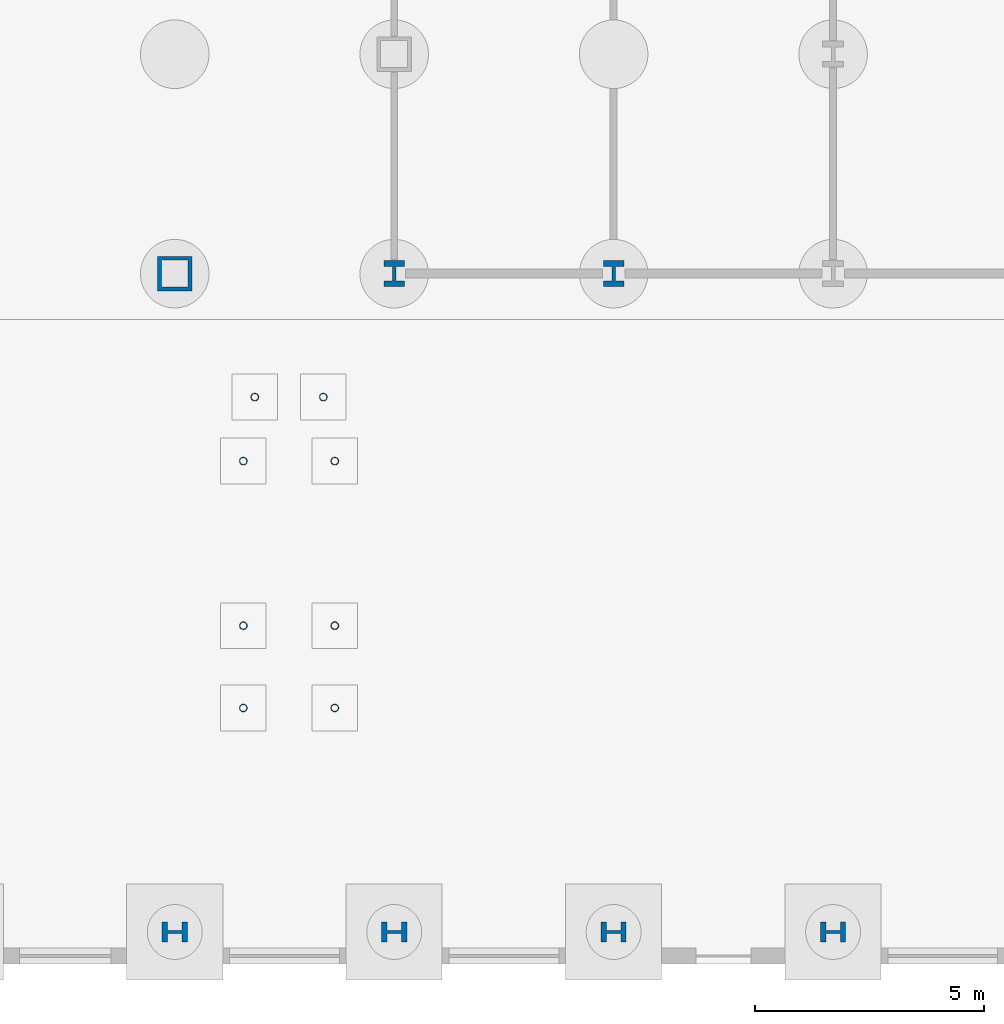
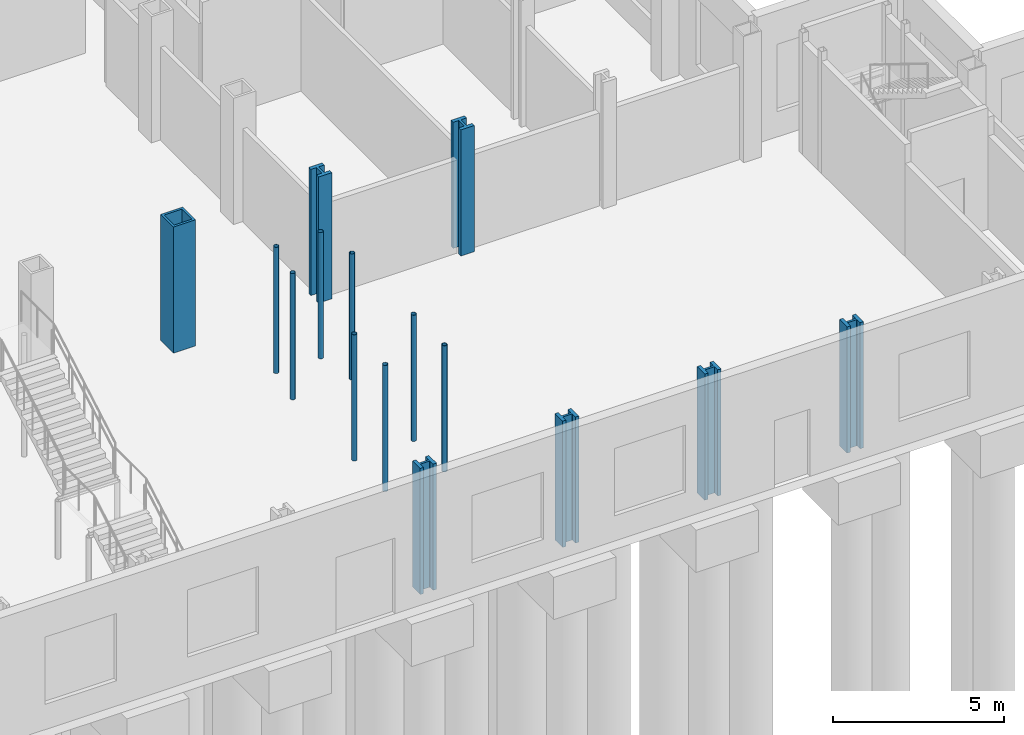
# One storey, part 5 of 22: 15 columns.
"""IFC4 building model written with IfcOpenShell, lengths in metres."""

from ifc_helpers import new_model, si_unit, direction, frame, origin, origin_2d, place, context, subcontext, project, spatial, hollow_rectangle, hollow_circle, i_section, extrude, material, material_profile, profile_set, type_object, element, save


model = new_model("IFC4")

# Units and contexts
model_context = context("Model", 3, precision=1e-05, world=origin(), true_north=direction((0.0, 1.0)))
body_context = subcontext(model_context, "Body", "Model", "MODEL_VIEW")
ifc_project = project(units=[si_unit("LENGTHUNIT", "METRE"), si_unit("AREAUNIT", "SQUARE_METRE"), si_unit("VOLUMEUNIT", "CUBIC_METRE"), si_unit("PLANEANGLEUNIT", "RADIAN"), si_unit("MASSUNIT", "GRAM", prefix="KILO")], contexts=[model_context])

# Site, building, storey
site_placement = place(None, origin())
site = spatial("IfcSite", under=ifc_project, at=site_placement, CompositionType="ELEMENT")
building_placement = place(site_placement, origin())
building = spatial("IfcBuilding", under=site, at=building_placement, Name="Kvirike Care Tower", CompositionType="ELEMENT")
storey_placement = place(building_placement, origin())
storey = spatial("IfcBuildingStorey", under=building, at=storey_placement, Name="L00", CompositionType="ELEMENT", Elevation=0.0)

# Columns
ifc_material_1 = material(Name="Steel S460", Category="steel")
ifc_material_profile_1 = material_profile(ifc_material_1, hollow_rectangle(XDim=0.75, YDim=0.75, WallThickness=0.080078125, at=origin_2d()), Name="BX 750x750x80")
ifc_profile_set_1 = profile_set([ifc_material_profile_1], Name="Steel S460")
column_type_1 = type_object("IfcColumnType", Name="COLUMN BX 750x750x80", PredefinedType="COLUMN", material=ifc_profile_set_1)
column_placement = place(storey_placement, frame((24.0, 14.39990234375, 0.0), z_axis=(0.0, 0.0, 1.0), x_axis=(1.0, 0.0, 0.0)))
element("IfcColumn", 1, at=column_placement, inside=storey, type_object=column_type_1, Name="Column D8 L00", PredefinedType="COLUMN", context=body_context, shape_type="SweptSolid", body=[
    extrude(hollow_rectangle(XDim=0.75, YDim=0.75, WallThickness=0.080078125, at=origin_2d()), origin(), (0.0, 0.0, 1.0), 4.5),
])
ifc_material_2 = material(Name="Steel S460", Category="steel")
ifc_material_profile_2 = material_profile(ifc_material_2, i_section(OverallWidth=0.4541015625, OverallDepth=0.569091796875, WebThickness=0.077880859375, FlangeThickness=0.125, FilletRadius=0.014892578125, at=origin_2d()), Name="HD 400x1086")
ifc_profile_set_2 = profile_set([ifc_material_profile_2], Name="Steel S460")
column_type_2 = type_object("IfcColumnType", Name="COLUMN HD 400x1086", PredefinedType="COLUMN", material=ifc_profile_set_2)
for number, where, z_axis, x_axis, name in (
    (2, (28.800048828125, 14.39990234375, 0.0), (0.0, 0.0, 1.0), (1.0, 0.0, 0.0), "Column D9 L00"),
    (3, (33.60009765625, 14.39990234375, 0.0), (0.0, 0.0, 1.0), (1.0, 0.0, 0.0), "Column D10 L00"),
):
    element("IfcColumn", number, at=place(storey_placement, frame(where, z_axis=z_axis, x_axis=x_axis)), inside=storey, type_object=column_type_2, Name=name, PredefinedType="COLUMN", context=body_context, shape_type="SweptSolid", body=[
        extrude(i_section(OverallWidth=0.4541015625, OverallDepth=0.569091796875, WebThickness=0.077880859375, FlangeThickness=0.125, FilletRadius=0.014892578125, at=origin_2d()), origin(), (0.0, 0.0, 1.0), 4.5),
    ])
ifc_material_3 = material(Name="Steel S460", Category="steel")
ifc_material_profile_3 = material_profile(ifc_material_3, i_section(OverallWidth=0.447998046875, OverallDepth=0.550048828125, WebThickness=0.072021484375, FlangeThickness=0.114990234375, FilletRadius=0.014892578125, at=origin_2d()), Name="HD 400x990")
ifc_profile_set_3 = profile_set([ifc_material_profile_3], Name="Steel S460")
column_type_3 = type_object("IfcColumnType", Name="COLUMN HD 400x990", PredefinedType="COLUMN", material=ifc_profile_set_3)
for number, where, z_axis, x_axis, name in (
    (4, (24.0, 0.0, 0.0), (0.0, 0.0, 1.0), (0.0, 1.0, 0.0), "Column A8 L00"),
    (5, (28.800048828125, 0.0, 0.0), (0.0, 0.0, 1.0), (0.0, 1.0, 0.0), "Column A9 L00"),
    (6, (33.60009765625, 0.0, 0.0), (0.0, 0.0, 1.0), (0.0, 1.0, 0.0), "Column A10 L00"),
    (7, (38.39990234375, 0.0, 0.0), (0.0, 0.0, 1.0), (0.0, 1.0, 0.0), "Column A11 L00"),
):
    element("IfcColumn", number, at=place(storey_placement, frame(where, z_axis=z_axis, x_axis=x_axis)), inside=storey, type_object=column_type_3, Name=name, PredefinedType="COLUMN", context=body_context, shape_type="SweptSolid", body=[
        extrude(i_section(OverallWidth=0.447998046875, OverallDepth=0.550048828125, WebThickness=0.072021484375, FlangeThickness=0.114990234375, FilletRadius=0.014892578125, at=origin_2d()), origin(), (0.0, 0.0, 1.0), 4.5),
    ])
ifc_material_4 = material(Name="Steel S355", Category="steel")
ifc_material_profile_4 = material_profile(ifc_material_4, hollow_circle(Radius=0.084228515625, WallThickness=0.008056640625, at=origin_2d()), Name="CHS 168.3x8")
ifc_profile_set_4 = profile_set([ifc_material_profile_4], Name="Steel S355")
column_type_4 = type_object("IfcColumnType", Name="FEATURE STAIR POST CHS 168.3x8", PredefinedType="COLUMN", material=ifc_profile_set_4)
for number, where, z_axis, x_axis, name in (
    (8, (25.5, 4.89990234375, 0.0), (0.0, 0.0, 1.0), (1.0, 0.0, 0.0), "Feature stair FB landing post SW"),
    (9, (27.5, 4.89990234375, 0.0), (0.0, 0.0, 1.0), (1.0, 0.0, 0.0), "Feature stair FB landing post SE"),
    (10, (25.5, 6.699951171875, 0.0), (0.0, 0.0, 1.0), (1.0, 0.0, 0.0), "Feature stair FB landing post NW"),
    (11, (27.5, 6.699951171875, 0.0), (0.0, 0.0, 1.0), (1.0, 0.0, 0.0), "Feature stair FB landing post NE"),
    (12, (25.5, 10.300048828125, 0.0), (0.0, 0.0, 1.0), (1.0, 0.0, 0.0), "Feature stair FB landing post TW"),
    (13, (27.5, 10.300048828125, 0.0), (0.0, 0.0, 1.0), (1.0, 0.0, 0.0), "Feature stair FB landing post TE"),
    (14, (25.75, 11.699951171875, 0.0), (0.0, 0.0, 1.0), (1.0, 0.0, 0.0), "Feature stair FB landing post UW"),
    (15, (27.25, 11.699951171875, 0.0), (0.0, 0.0, 1.0), (1.0, 0.0, 0.0), "Feature stair FB landing post UE"),
):
    element("IfcColumn", number, at=place(storey_placement, frame(where, z_axis=z_axis, x_axis=x_axis)), inside=storey, type_object=column_type_4, Name=name, PredefinedType="COLUMN", context=body_context, shape_type="SweptSolid", body=[
        extrude(hollow_circle(Radius=0.084228515625, WallThickness=0.008056640625, at=origin_2d()), origin(), (0.0, 0.0, 1.0), 4.5),
    ])

save(model, "model.ifc")
